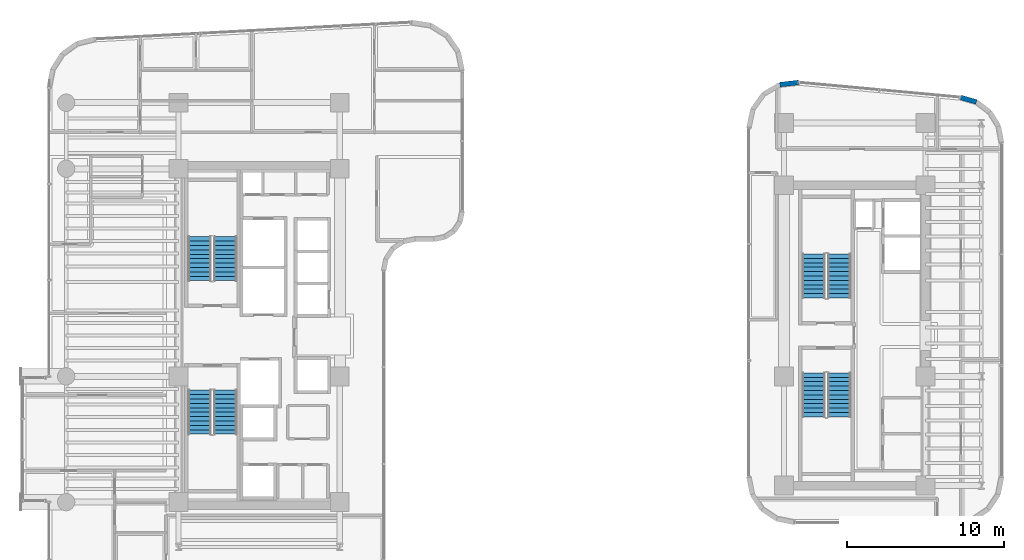
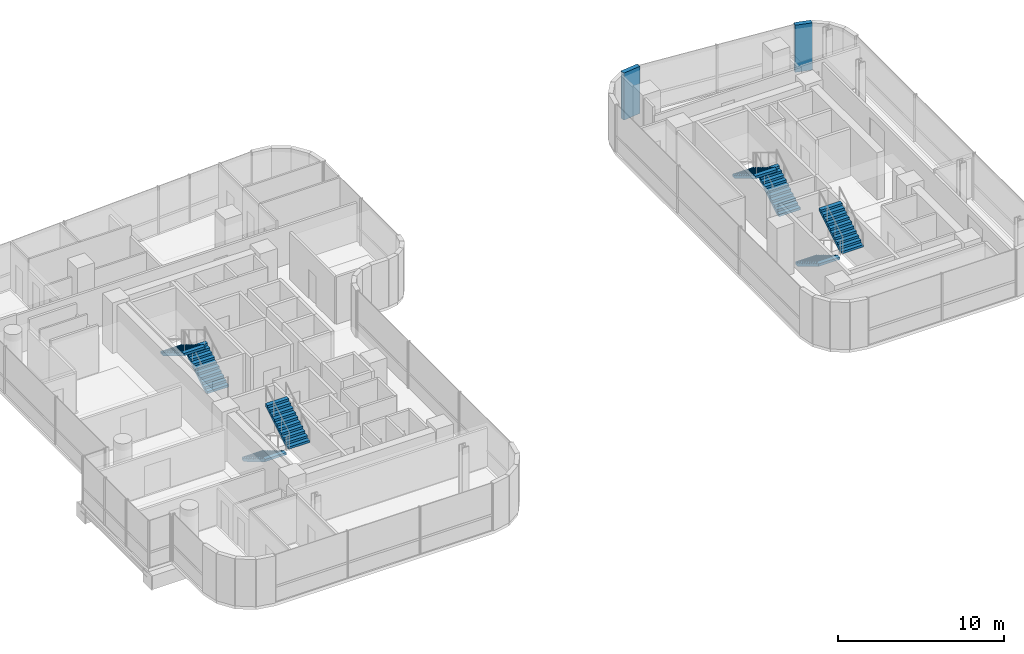
# One storey, part 30 of 34: 8 stair flights, 2 walls, 4 elements without a shape of their own.
"""IFC4 building model written with IfcOpenShell, lengths in metres."""

import ifcopenshell
import ifcopenshell.guid

model = None  # the IFC model being written
_history = None  # IfcOwnerHistory: only IFC2X3 demands one
_inside = {}  # id of a spatial element -> (the spatial element, [elements in it])
_under = {}  # id of a project, library or spatial element -> (it, [spatial elements below it])
_declared = {}  # id of a project -> (the project, [libraries it declares])
_typed = {}  # id of a type object -> (the type object, [elements of that type])
_made_of = {}  # id of a material, layer set ... -> (it, [elements and type objects made of it])


def new_model(schema):
    """Start an empty IFC model of exactly this schema.

    Asked for "IFC4X3", IfcOpenShell would pick the latest addendum, in which some entities
    have other attributes; the version numbers below select the first issue.
    IFC2X3 requires an IfcOwnerHistory on every rooted entity: one is made here for all.
    """
    global model, _history
    if schema == "IFC4X3":
        model = ifcopenshell.file(schema_version=(4, 3, 0, 0))
    else:
        model = ifcopenshell.file(schema=schema)
    _inside.clear()
    _under.clear()
    _declared.clear()
    _typed.clear()
    _made_of.clear()
    _history = None
    if model.schema == "IFC2X3":
        org = make("IfcOrganization", Name="unknown")
        user = make(
            "IfcPersonAndOrganization",
            ThePerson=make("IfcPerson", FamilyName="unknown"),
            TheOrganization=org,
        )
        app = make(
            "IfcApplication",
            ApplicationDeveloper=org,
            Version="unknown",
            ApplicationFullName="unknown",
            ApplicationIdentifier="unknown",
        )
        _history = make(
            "IfcOwnerHistory",
            OwningUser=user,
            OwningApplication=app,
            ChangeAction="ADDED",
            CreationDate=0,
        )
    return model


def make(cls, **values):
    """One entity of the class cls with the attributes given. An attribute that is None is left unset."""
    return model.create_entity(
        cls, **{name: value for name, value in values.items() if value is not None}
    )


def rooted(cls, **values):
    """An entity with a GlobalId (a new one), such as an element, a storey or a relation."""
    return make(cls, GlobalId=ifcopenshell.guid.new(), OwnerHistory=_history, **values)


def si_unit(unit_type, name, prefix=None):
    """IfcSIUnit, for example si_unit("LENGTHUNIT", "METRE", prefix="MILLI")."""
    return make("IfcSIUnit", UnitType=unit_type, Prefix=prefix, Name=name)


def assignment(units):
    """IfcUnitAssignment: the units of a project."""
    return None if units is None else make("IfcUnitAssignment", Units=units)


def point(xyz):
    """IfcCartesianPoint."""
    return None if xyz is None else make("IfcCartesianPoint", Coordinates=xyz)


def direction(xyz):
    """IfcDirection."""
    return None if xyz is None else make("IfcDirection", DirectionRatios=xyz)


def frame(location, z_axis=None, x_axis=None):
    """IfcAxis2Placement3D, a coordinate frame: its origin and axes. An axis left out is left unset."""
    return make(
        "IfcAxis2Placement3D",
        Location=point(location),
        Axis=direction(z_axis),
        RefDirection=direction(x_axis),
    )


def frame_2d(location, x_axis=None):
    """IfcAxis2Placement2D, a coordinate frame in the plane: its origin and x axis."""
    return make(
        "IfcAxis2Placement2D", Location=point(location), RefDirection=direction(x_axis)
    )


def origin():
    """The frame at (0, 0, 0) with its axes left unset."""
    return frame((0.0, 0.0, 0.0))


def place(relative_to, where):
    """IfcLocalPlacement: puts the frame where relative to a parent placement (None: the world)."""
    return make(
        "IfcLocalPlacement", PlacementRelTo=relative_to, RelativePlacement=where
    )


def context(
    kind, dimensions, precision=None, world=None, true_north=None, identifier=None
):
    """IfcGeometricRepresentationContext, for example the 3D "Model" context."""
    return make(
        "IfcGeometricRepresentationContext",
        ContextIdentifier=identifier,
        ContextType=kind,
        CoordinateSpaceDimension=dimensions,
        Precision=precision,
        WorldCoordinateSystem=world,
        TrueNorth=true_north,
    )


def subcontext(parent, identifier, kind, view, scale=None):
    """IfcGeometricRepresentationSubContext, for example "Body" below "Model"."""
    return make(
        "IfcGeometricRepresentationSubContext",
        ContextIdentifier=identifier,
        ContextType=kind,
        ParentContext=parent,
        TargetScale=scale,
        TargetView=view,
    )


def project(units=None, contexts=None):
    """IfcProject with its units and contexts."""
    return rooted(
        "IfcProject",
        Name="project",
        RepresentationContexts=contexts,
        UnitsInContext=assignment(units),
    )


def spatial(cls, under=None, at=None, **own):
    """A site, building, storey or space (cls), placed at a placement, below another one or the project."""
    s = rooted(cls, ObjectPlacement=at, **own)
    if under is not None:
        _under.setdefault(under.id(), (under, []))[1].append(s)
    return s


def polyline(points):
    """IfcPolyline through the points."""
    return make("IfcPolyline", Points=[point(p) for p in points])


def profile(cls, at=None, kind="AREA", **sizes):
    """A parametric profile (cls). Its sizes go by their IFC names, for example OverallWidth=200.0."""
    return make(cls, ProfileType=kind, Position=at, **sizes)


def rectangle(**sizes):
    """IfcRectangleProfileDef."""
    return profile("IfcRectangleProfileDef", **sizes)


def outline(outer, holes=None, kind="AREA"):
    """IfcArbitraryClosedProfileDef: a profile drawn as a closed curve; with holes, ...WithVoids."""
    if holes is None:
        return make("IfcArbitraryClosedProfileDef", ProfileType=kind, OuterCurve=outer)
    return make(
        "IfcArbitraryProfileDefWithVoids",
        ProfileType=kind,
        OuterCurve=outer,
        InnerCurves=holes,
    )


def extrude(swept, where, along, depth):
    """IfcExtrudedAreaSolid: the profile swept, set in the frame where, extruded along a direction by depth."""
    return make(
        "IfcExtrudedAreaSolid",
        SweptArea=swept,
        Position=where,
        ExtrudedDirection=direction(along),
        Depth=depth,
    )


def shape(context_of_items, identifier, shape_type, items):
    """IfcShapeRepresentation: the items that make up one representation, for example the "Body"."""
    return make(
        "IfcShapeRepresentation",
        ContextOfItems=context_of_items,
        RepresentationIdentifier=identifier,
        RepresentationType=shape_type,
        Items=items,
    )


def material(Name=None, Category=None):
    """IfcMaterial."""
    return make("IfcMaterial", Name=Name, Category=Category)


def layer(
    of_material, thickness, ventilated=None, Name=None, Category=None, Priority=None
):
    """IfcMaterialLayer: one layer of a wall or slab, of a material (None: an air gap)."""
    return make(
        "IfcMaterialLayer",
        Material=of_material,
        LayerThickness=thickness,
        IsVentilated=ventilated,
        Name=Name,
        Category=Category,
        Priority=Priority,
    )


def layer_set(layers, Name=None):
    """IfcMaterialLayerSet."""
    return make("IfcMaterialLayerSet", MaterialLayers=layers, LayerSetName=Name)


def made_of(thing, what):
    """Note that an element or type object is made of a material, layer set ...; save() writes the relation."""
    if what is not None:
        _made_of.setdefault(what.id(), (what, []))[1].append(thing)
    return thing


def type_object(cls, material=None, **own):
    """A type object (cls), such as IfcWallType, which elements share."""
    return made_of(rooted(cls, **own), material)


def element(
    cls,
    number,
    at=None,
    inside=None,
    cuts=None,
    type_object=None,
    material=None,
    context=None,
    identifier="Body",
    shape_type=None,
    held_by="IfcProductDefinitionShape",
    body=None,
    shapes=None,
    **own,
):
    """One element of the class cls, such as IfcWall. Its Tag is "e" and its number.

    at: its placement. inside: the storey or other place that contains it. cuts: it is an
    opening in that element (IfcRelVoidsElement). A single representation is given by context,
    identifier, shape_type and body (its items); several are given by shapes. held_by: the class
    of the entity that holds the representations. save() writes the other relations.
    """
    e = rooted(cls, Tag="e%d" % number, ObjectPlacement=at, **own)
    if body is not None:
        shapes = [shape(context, identifier, shape_type, body)]
    if shapes is not None:
        e.Representation = make(held_by, Representations=shapes)
    if inside is not None:
        _inside.setdefault(inside.id(), (inside, []))[1].append(e)
    if cuts is not None:
        rooted(
            "IfcRelVoidsElement", RelatingBuildingElement=cuts, RelatedOpeningElement=e
        )
    if type_object is not None:
        _typed.setdefault(type_object.id(), (type_object, []))[1].append(e)
    return made_of(e, material)


def aggregate(whole, parts):
    """IfcRelAggregates: a whole, such as a stair, and the parts it consists of."""
    return rooted("IfcRelAggregates", RelatingObject=whole, RelatedObjects=parts)


def save(model, path):
    """Write the relations noted so far, then the file.

    IfcRelAggregates (storeys below a building ...), IfcRelContainedInSpatialStructure (elements
    in a storey), IfcRelDefinesByType, IfcRelAssociatesMaterial and IfcRelDeclares: one each for
    every whole, place, type object, material and project.
    """
    for whole, parts in _under.values():
        aggregate(whole, parts)
    for where, things in _inside.values():
        rooted(
            "IfcRelContainedInSpatialStructure",
            RelatedElements=things,
            RelatingStructure=where,
        )
    for kind, things in _typed.values():
        rooted("IfcRelDefinesByType", RelatedObjects=things, RelatingType=kind)
    for what, things in _made_of.values():
        rooted("IfcRelAssociatesMaterial", RelatedObjects=things, RelatingMaterial=what)
    for by, libraries in _declared.values():
        rooted("IfcRelDeclares", RelatingContext=by, RelatedDefinitions=libraries)
    model.write(path)


model = new_model("IFC4")

# Units and contexts
model_context = context("Model", 3, precision=1e-05, world=origin(), true_north=direction((0.0, 1.0)))
body_context = subcontext(model_context, "Body", "Model", "MODEL_VIEW")
ifc_project = project(units=[si_unit("LENGTHUNIT", "METRE"), si_unit("AREAUNIT", "SQUARE_METRE"), si_unit("VOLUMEUNIT", "CUBIC_METRE"), si_unit("PLANEANGLEUNIT", "RADIAN"), si_unit("MASSUNIT", "GRAM", prefix="KILO")], contexts=[model_context])

# Site, building, storey
site_placement = place(None, origin())
site = spatial("IfcSite", under=ifc_project, at=site_placement, CompositionType="ELEMENT")
building_placement = place(site_placement, origin())
building = spatial("IfcBuilding", under=site, at=building_placement, Name="Valdorenza Pilgrim Sanctuary Tower", CompositionType="ELEMENT")
storey_placement = place(building_placement, frame((0.0, 0.0, 161.199951171875)))
storey = spatial("IfcBuildingStorey", under=building, at=storey_placement, Name="L41", CompositionType="ELEMENT", Elevation=161.199951171875)

# Walls
ifc_material_1 = material(Name="Honed travertine limestone", Category="masonry")
ifc_layer = layer(ifc_material_1, 0.300048828125, Name="Honed travertine limestone")
ifc_layer_set = layer_set([ifc_layer], Name="Honed travertine limestone")
wall_type = type_object("IfcWallType", Name="WAL-EXT-300", PredefinedType="SOLIDWALL", material=ifc_layer_set)
wall_1_placement = place(storey_placement, frame((15.5810546875, 15.94873046875, 0.0), z_axis=(0.0, 0.0, 1.0), x_axis=(0.993288417722, 0.115663819837, 0.0)))
element("IfcWall", 1, at=wall_1_placement, inside=storey, type_object=wall_type, Name="L41 Rounded Wind-Corner Stone Pier 5", PredefinedType="SOLIDWALL", context=body_context, shape_type="SweptSolid", body=[
    extrude(rectangle(XDim=1.203125, YDim=0.300048828125, at=frame_2d((0.6015625, 0.0))), origin(), (0.0, 0.0, 1.0), 3.4599609375),
])
wall_2_placement = place(storey_placement, frame((27.0546875, 15.14208984375, 0.0), z_axis=(0.0, 0.0, 1.0), x_axis=(0.962012179147, -0.273006533206, 0.0)))
element("IfcWall", 2, at=wall_2_placement, inside=storey, type_object=wall_type, Name="L41 Rounded Wind-Corner Stone Pier 7", PredefinedType="SOLIDWALL", context=body_context, shape_type="SweptSolid", body=[
    extrude(rectangle(XDim=1.072265625, YDim=0.300048828125, at=frame_2d((0.5361328125, 0.0))), origin(), (0.0, 0.0, 1.0), 3.4599609375),
])

# Stair, stair flights
ifc_material_2 = material(Name="Concrete C40/50", Category="concrete")
stair_type = type_object("IfcStairType", Name="STR-DOG-CORE", PredefinedType="HALF_TURN_STAIR", material=ifc_material_2)
stair_1_placement = place(storey_placement, origin())
stair_1 = element("IfcStair", 3, at=stair_1_placement, inside=storey, type_object=stair_type, Name="L41 ST-A1", PredefinedType="HALF_TURN_STAIR")
stair_flight_type = type_object("IfcStairFlightType", Name="STF-RC-1400", PredefinedType="STRAIGHT", material=ifc_material_2)
stair_flight_1_placement = place(storey_placement, frame((-19.679931640625, 3.47998046875, 0.0), z_axis=(0.0, 0.0, 1.0), x_axis=(0.0, 1.0, 0.0)))
stair_flight_1 = element("IfcStairFlight", 4, at=stair_flight_1_placement, type_object=stair_flight_type, Name="ST-A1 flight 1", NumberOfRisers=11, NumberOfTreads=10, PredefinedType="STRAIGHT", RiserHeight=0.168181818, TreadLength=0.28, context=body_context, shape_type="SweptSolid", body=[
    extrude(outline(polyline([(0.0, 0.0), (0.0, 0.168212890625), (0.280029296875, 0.168212890625), (0.280029296875, 0.33642578125), (0.56005859375, 0.33642578125), (0.56005859375, 0.504638671875), (0.840087890625, 0.504638671875), (0.840087890625, 0.672607421875), (1.1201171875, 0.672607421875), (1.1201171875, 0.8408203125), (1.39990234375, 0.8408203125), (1.39990234375, 1.009033203125), (1.679931640625, 1.009033203125), (1.679931640625, 1.17724609375), (1.9599609375, 1.17724609375), (1.9599609375, 1.345458984375), (2.239990234375, 1.345458984375), (2.239990234375, 1.513671875), (2.52001953125, 1.513671875), (2.52001953125, 1.681884765625), (2.800048828125, 1.681884765625), (2.800048828125, 1.85009765625), (2.800048828125, 1.5068359375), (0.291015625, 0.0), (0.0, 0.0)])), frame((0.0, 0.739990234375, 0.0), z_axis=(0.0, -1.0, 0.0), x_axis=(1.0, 0.0, 0.0)), (0.0, 0.0, 1.0), 1.47998046875),
])
stair_flight_2_placement = place(storey_placement, frame((-21.31005859375, 6.280029296875, 1.85009765625), z_axis=(0.0, 0.0, 1.0), x_axis=(0.0, -1.0, 0.0)))
stair_flight_2 = element("IfcStairFlight", 5, at=stair_flight_2_placement, type_object=stair_flight_type, Name="ST-A1 flight 2", NumberOfRisers=11, NumberOfTreads=10, PredefinedType="STRAIGHT", RiserHeight=0.168181818, TreadLength=0.28, context=body_context, shape_type="SweptSolid", body=[
    extrude(outline(polyline([(0.0, 0.0), (0.0, 0.168212890625), (0.280029296875, 0.168212890625), (0.280029296875, 0.33642578125), (0.56005859375, 0.33642578125), (0.56005859375, 0.504638671875), (0.840087890625, 0.504638671875), (0.840087890625, 0.672607421875), (1.1201171875, 0.672607421875), (1.1201171875, 0.8408203125), (1.39990234375, 0.8408203125), (1.39990234375, 1.009033203125), (1.679931640625, 1.009033203125), (1.679931640625, 1.17724609375), (1.9599609375, 1.17724609375), (1.9599609375, 1.345458984375), (2.239990234375, 1.345458984375), (2.239990234375, 1.513671875), (2.52001953125, 1.513671875), (2.52001953125, 1.681884765625), (2.800048828125, 1.681884765625), (2.800048828125, 1.85009765625), (2.800048828125, 1.5068359375), (0.291015625, 0.0), (0.0, 0.0)])), frame((0.0, 0.739990234375, 0.0), z_axis=(0.0, -1.0, 0.0), x_axis=(1.0, 0.0, 0.0)), (0.0, 0.0, 1.0), 1.47998046875),
])
aggregate(stair_1, [stair_flight_1, stair_flight_2])

stair_2_placement = place(storey_placement, origin())
stair_2 = element("IfcStair", 6, at=stair_2_placement, inside=storey, type_object=stair_type, Name="L41 ST-A2", PredefinedType="HALF_TURN_STAIR")
stair_flight_3_placement = place(storey_placement, frame((-21.31005859375, -3.47998046875, 0.0), z_axis=(0.0, 0.0, 1.0), x_axis=(0.0, -1.0, 0.0)))
stair_flight_3 = element("IfcStairFlight", 7, at=stair_flight_3_placement, type_object=stair_flight_type, Name="ST-A2 flight 1", NumberOfRisers=11, NumberOfTreads=10, PredefinedType="STRAIGHT", RiserHeight=0.168181818, TreadLength=0.28, context=body_context, shape_type="SweptSolid", body=[
    extrude(outline(polyline([(0.0, 0.0), (0.0, 0.168212890625), (0.280029296875, 0.168212890625), (0.280029296875, 0.33642578125), (0.56005859375, 0.33642578125), (0.56005859375, 0.504638671875), (0.840087890625, 0.504638671875), (0.840087890625, 0.672607421875), (1.1201171875, 0.672607421875), (1.1201171875, 0.8408203125), (1.39990234375, 0.8408203125), (1.39990234375, 1.009033203125), (1.679931640625, 1.009033203125), (1.679931640625, 1.17724609375), (1.9599609375, 1.17724609375), (1.9599609375, 1.345458984375), (2.239990234375, 1.345458984375), (2.239990234375, 1.513671875), (2.52001953125, 1.513671875), (2.52001953125, 1.681884765625), (2.800048828125, 1.681884765625), (2.800048828125, 1.85009765625), (2.800048828125, 1.5068359375), (0.291015625, 0.0), (0.0, 0.0)])), frame((0.0, 0.739990234375, 0.0), z_axis=(0.0, -1.0, 0.0), x_axis=(1.0, 0.0, 0.0)), (0.0, 0.0, 1.0), 1.47998046875),
])
stair_flight_4_placement = place(storey_placement, frame((-19.679931640625, -6.280029296875, 1.85009765625), z_axis=(0.0, 0.0, 1.0), x_axis=(0.0, 1.0, 0.0)))
stair_flight_4 = element("IfcStairFlight", 8, at=stair_flight_4_placement, type_object=stair_flight_type, Name="ST-A2 flight 2", NumberOfRisers=11, NumberOfTreads=10, PredefinedType="STRAIGHT", RiserHeight=0.168181818, TreadLength=0.28, context=body_context, shape_type="SweptSolid", body=[
    extrude(outline(polyline([(0.0, 0.0), (0.0, 0.168212890625), (0.280029296875, 0.168212890625), (0.280029296875, 0.33642578125), (0.56005859375, 0.33642578125), (0.56005859375, 0.504638671875), (0.840087890625, 0.504638671875), (0.840087890625, 0.672607421875), (1.1201171875, 0.672607421875), (1.1201171875, 0.8408203125), (1.39990234375, 0.8408203125), (1.39990234375, 1.009033203125), (1.679931640625, 1.009033203125), (1.679931640625, 1.17724609375), (1.9599609375, 1.17724609375), (1.9599609375, 1.345458984375), (2.239990234375, 1.345458984375), (2.239990234375, 1.513671875), (2.52001953125, 1.513671875), (2.52001953125, 1.681884765625), (2.800048828125, 1.681884765625), (2.800048828125, 1.85009765625), (2.800048828125, 1.5068359375), (0.291015625, 0.0), (0.0, 0.0)])), frame((0.0, 0.739990234375, 0.0), z_axis=(0.0, -1.0, 0.0), x_axis=(1.0, 0.0, 0.0)), (0.0, 0.0, 1.0), 1.47998046875),
])
aggregate(stair_2, [stair_flight_3, stair_flight_4])

stair_3_placement = place(storey_placement, origin())
stair_3 = element("IfcStair", 9, at=stair_3_placement, inside=storey, type_object=stair_type, Name="L41 ST-B1", PredefinedType="HALF_TURN_STAIR")
stair_flight_5_placement = place(storey_placement, frame((19.3701171875, 2.3798828125, 0.0), z_axis=(0.0, 0.0, 1.0), x_axis=(0.0, 1.0, 0.0)))
stair_flight_5 = element("IfcStairFlight", 10, at=stair_flight_5_placement, type_object=stair_flight_type, Name="ST-B1 flight 1", NumberOfRisers=11, NumberOfTreads=10, PredefinedType="STRAIGHT", RiserHeight=0.168181818, TreadLength=0.28, context=body_context, shape_type="SweptSolid", body=[
    extrude(outline(polyline([(0.0, 0.0), (0.0, 0.168212890625), (0.280029296875, 0.168212890625), (0.280029296875, 0.33642578125), (0.56005859375, 0.33642578125), (0.56005859375, 0.504638671875), (0.840087890625, 0.504638671875), (0.840087890625, 0.672607421875), (1.1201171875, 0.672607421875), (1.1201171875, 0.8408203125), (1.39990234375, 0.8408203125), (1.39990234375, 1.009033203125), (1.679931640625, 1.009033203125), (1.679931640625, 1.17724609375), (1.9599609375, 1.17724609375), (1.9599609375, 1.345458984375), (2.239990234375, 1.345458984375), (2.239990234375, 1.513671875), (2.52001953125, 1.513671875), (2.52001953125, 1.681884765625), (2.800048828125, 1.681884765625), (2.800048828125, 1.85009765625), (2.800048828125, 1.5068359375), (0.291015625, 0.0), (0.0, 0.0)])), frame((0.0, 0.739990234375, 0.0), z_axis=(0.0, -1.0, 0.0), x_axis=(1.0, 0.0, 0.0)), (0.0, 0.0, 1.0), 1.47998046875),
])
stair_flight_6_placement = place(storey_placement, frame((17.739990234375, 5.179931640625, 1.85009765625), z_axis=(0.0, 0.0, 1.0), x_axis=(0.0, -1.0, 0.0)))
stair_flight_6 = element("IfcStairFlight", 11, at=stair_flight_6_placement, type_object=stair_flight_type, Name="ST-B1 flight 2", NumberOfRisers=11, NumberOfTreads=10, PredefinedType="STRAIGHT", RiserHeight=0.168181818, TreadLength=0.28, context=body_context, shape_type="SweptSolid", body=[
    extrude(outline(polyline([(0.0, 0.0), (0.0, 0.168212890625), (0.280029296875, 0.168212890625), (0.280029296875, 0.33642578125), (0.56005859375, 0.33642578125), (0.56005859375, 0.504638671875), (0.840087890625, 0.504638671875), (0.840087890625, 0.672607421875), (1.1201171875, 0.672607421875), (1.1201171875, 0.8408203125), (1.39990234375, 0.8408203125), (1.39990234375, 1.009033203125), (1.679931640625, 1.009033203125), (1.679931640625, 1.17724609375), (1.9599609375, 1.17724609375), (1.9599609375, 1.345458984375), (2.239990234375, 1.345458984375), (2.239990234375, 1.513671875), (2.52001953125, 1.513671875), (2.52001953125, 1.681884765625), (2.800048828125, 1.681884765625), (2.800048828125, 1.85009765625), (2.800048828125, 1.5068359375), (0.291015625, 0.0), (0.0, 0.0)])), frame((0.0, 0.739990234375, 0.0), z_axis=(0.0, -1.0, 0.0), x_axis=(1.0, 0.0, 0.0)), (0.0, 0.0, 1.0), 1.47998046875),
])
aggregate(stair_3, [stair_flight_5, stair_flight_6])

stair_4_placement = place(storey_placement, origin())
stair_4 = element("IfcStair", 12, at=stair_4_placement, inside=storey, type_object=stair_type, Name="L41 ST-B2", PredefinedType="HALF_TURN_STAIR")
stair_flight_7_placement = place(storey_placement, frame((17.739990234375, -2.3798828125, 0.0), z_axis=(0.0, 0.0, 1.0), x_axis=(0.0, -1.0, 0.0)))
stair_flight_7 = element("IfcStairFlight", 13, at=stair_flight_7_placement, type_object=stair_flight_type, Name="ST-B2 flight 1", NumberOfRisers=11, NumberOfTreads=10, PredefinedType="STRAIGHT", RiserHeight=0.168181818, TreadLength=0.28, context=body_context, shape_type="SweptSolid", body=[
    extrude(outline(polyline([(0.0, 0.0), (0.0, 0.168212890625), (0.280029296875, 0.168212890625), (0.280029296875, 0.33642578125), (0.56005859375, 0.33642578125), (0.56005859375, 0.504638671875), (0.840087890625, 0.504638671875), (0.840087890625, 0.672607421875), (1.1201171875, 0.672607421875), (1.1201171875, 0.8408203125), (1.39990234375, 0.8408203125), (1.39990234375, 1.009033203125), (1.679931640625, 1.009033203125), (1.679931640625, 1.17724609375), (1.9599609375, 1.17724609375), (1.9599609375, 1.345458984375), (2.239990234375, 1.345458984375), (2.239990234375, 1.513671875), (2.52001953125, 1.513671875), (2.52001953125, 1.681884765625), (2.800048828125, 1.681884765625), (2.800048828125, 1.85009765625), (2.800048828125, 1.5068359375), (0.291015625, 0.0), (0.0, 0.0)])), frame((0.0, 0.739990234375, 0.0), z_axis=(0.0, -1.0, 0.0), x_axis=(1.0, 0.0, 0.0)), (0.0, 0.0, 1.0), 1.47998046875),
])
stair_flight_8_placement = place(storey_placement, frame((19.3701171875, -5.179931640625, 1.85009765625), z_axis=(0.0, 0.0, 1.0), x_axis=(0.0, 1.0, 0.0)))
stair_flight_8 = element("IfcStairFlight", 14, at=stair_flight_8_placement, type_object=stair_flight_type, Name="ST-B2 flight 2", NumberOfRisers=11, NumberOfTreads=10, PredefinedType="STRAIGHT", RiserHeight=0.168181818, TreadLength=0.28, context=body_context, shape_type="SweptSolid", body=[
    extrude(outline(polyline([(0.0, 0.0), (0.0, 0.168212890625), (0.280029296875, 0.168212890625), (0.280029296875, 0.33642578125), (0.56005859375, 0.33642578125), (0.56005859375, 0.504638671875), (0.840087890625, 0.504638671875), (0.840087890625, 0.672607421875), (1.1201171875, 0.672607421875), (1.1201171875, 0.8408203125), (1.39990234375, 0.8408203125), (1.39990234375, 1.009033203125), (1.679931640625, 1.009033203125), (1.679931640625, 1.17724609375), (1.9599609375, 1.17724609375), (1.9599609375, 1.345458984375), (2.239990234375, 1.345458984375), (2.239990234375, 1.513671875), (2.52001953125, 1.513671875), (2.52001953125, 1.681884765625), (2.800048828125, 1.681884765625), (2.800048828125, 1.85009765625), (2.800048828125, 1.5068359375), (0.291015625, 0.0), (0.0, 0.0)])), frame((0.0, 0.739990234375, 0.0), z_axis=(0.0, -1.0, 0.0), x_axis=(1.0, 0.0, 0.0)), (0.0, 0.0, 1.0), 1.47998046875),
])
aggregate(stair_4, [stair_flight_7, stair_flight_8])

save(model, "model.ifc")
